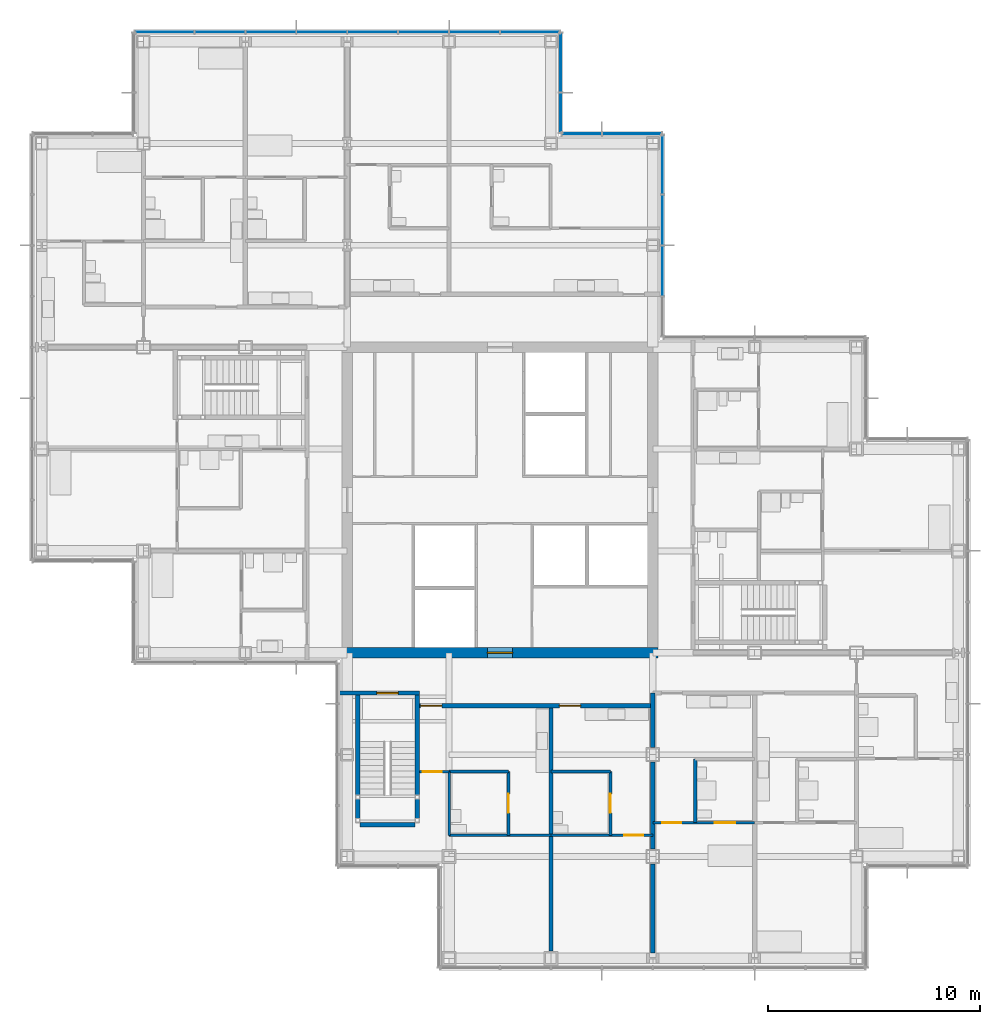
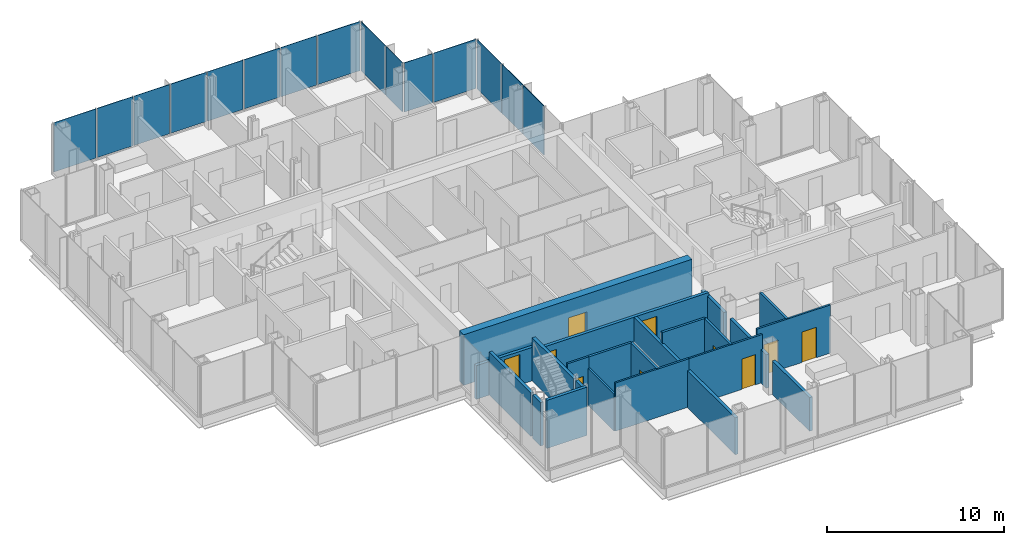
# One storey, part 13 of 20: 22 walls, 15 plates, 10 doors, 10 openings, 4 elements without a shape of their own.
"""IFC4 building model written with IfcOpenShell, lengths in metres."""

from ifc_helpers import new_model, si_unit, direction, frame, frame_2d, origin, origin_2d, place, context, subcontext, project, spatial, rectangle, extrude, material, layer, layer_set, type_object, element, fill, aggregate, save


model = new_model("IFC4")

# Units and contexts
model_context = context("Model", 3, precision=1e-05, world=origin(), true_north=direction((0.0, 1.0)))
body_context = subcontext(model_context, "Body", "Model", "MODEL_VIEW")
ifc_project = project(units=[si_unit("LENGTHUNIT", "METRE"), si_unit("AREAUNIT", "SQUARE_METRE"), si_unit("VOLUMEUNIT", "CUBIC_METRE"), si_unit("PLANEANGLEUNIT", "RADIAN"), si_unit("MASSUNIT", "GRAM", prefix="KILO")], contexts=[model_context])

# Site, building, storey
site_placement = place(None, origin())
site = spatial("IfcSite", under=ifc_project, at=site_placement, CompositionType="ELEMENT")
building_placement = place(site_placement, origin())
building = spatial("IfcBuilding", under=site, at=building_placement, Name="Kvirike Care Tower", CompositionType="ELEMENT")
storey_placement = place(building_placement, frame((0.0, 0.0, 105.0)))
storey = spatial("IfcBuildingStorey", under=building, at=storey_placement, Name="L28", CompositionType="ELEMENT", Elevation=105.0)

# Curtain wall, plates
ifc_material_1 = material(Name="Anodised aluminium stick system", Category="aluminium")
curtain_wall_type = type_object("IfcCurtainWallType", Name="CW-B STICK CURTAIN WALL", PredefinedType="NOTDEFINED", material=ifc_material_1)
curtain_wall_1_placement = place(storey_placement, origin())
curtain_wall_1 = element("IfcCurtainWall", 1, at=curtain_wall_1_placement, inside=storey, type_object=curtain_wall_type, Name="Curtain wall L28 face 5", PredefinedType="NOTDEFINED")
ifc_material_2 = material(Name="Tinted double glazed unit", Category="glass")
ifc_layer_1 = layer(ifc_material_2, 0.035888671875)
ifc_layer_set_1 = layer_set([ifc_layer_1], Name="TINTED VISION PANEL 36")
plate_type = type_object("IfcPlateType", Name="TINTED VISION PANEL 36", PredefinedType="CURTAIN_PANEL", material=ifc_layer_set_1)
plate_1_placement = place(storey_placement, frame((29.260009765625, 46.800048828125, 0.10009765625), z_axis=(0.0, 0.0, 1.0), x_axis=(0.0, 1.0, 0.0)))
plate_1 = element("IfcPlate", 2, at=plate_1_placement, type_object=plate_type, Name="CW-B panel L28 face 5.2", PredefinedType="CURTAIN_PANEL", context=body_context, shape_type="SweptSolid", body=[
    extrude(rectangle(XDim=2.3349609375, YDim=0.035888671875, at=origin_2d()), origin(), (0.0, 0.0, 1.0), 3.39990234375),
])
plate_2_placement = place(storey_placement, frame((29.260009765625, 49.199951171875, 0.10009765625), z_axis=(0.0, 0.0, 1.0), x_axis=(0.0, 1.0, 0.0)))
plate_2 = element("IfcPlate", 3, at=plate_2_placement, type_object=plate_type, Name="CW-B panel L28 face 5.3", PredefinedType="CURTAIN_PANEL", context=body_context, shape_type="SweptSolid", body=[
    extrude(rectangle(XDim=2.3349609375, YDim=0.035888671875, at=origin_2d()), origin(), (0.0, 0.0, 1.0), 3.39990234375),
])
plate_3_placement = place(storey_placement, frame((29.260009765625, 51.813720703125, 0.10009765625), z_axis=(0.0, 0.0, 1.0), x_axis=(0.0, 1.0, 0.0)))
plate_3 = element("IfcPlate", 4, at=plate_3_placement, type_object=plate_type, Name="CW-B panel L28 face 5.4", PredefinedType="CURTAIN_PANEL", context=body_context, shape_type="SweptSolid", body=[
    extrude(rectangle(XDim=2.762451171875, YDim=0.035888671875, at=origin_2d()), origin(), (0.0, 0.0, 1.0), 3.39990234375),
])
aggregate(curtain_wall_1, [plate_1, plate_2, plate_3])

curtain_wall_2_placement = place(storey_placement, origin())
curtain_wall_2 = element("IfcCurtainWall", 5, at=curtain_wall_2_placement, inside=storey, type_object=curtain_wall_type, Name="Curtain wall L28 face 6", PredefinedType="NOTDEFINED")
plate_4_placement = place(storey_placement, frame((27.813720703125, 53.260009765625, 0.10009765625), z_axis=(0.0, 0.0, 1.0), x_axis=(-1.0, 0.0, 0.0)))
plate_4 = element("IfcPlate", 6, at=plate_4_placement, type_object=plate_type, Name="CW-B panel L28 face 6.1", PredefinedType="CURTAIN_PANEL", context=body_context, shape_type="SweptSolid", body=[
    extrude(rectangle(XDim=2.762451171875, YDim=0.035888671875, at=origin_2d()), origin(), (0.0, 0.0, 1.0), 3.39990234375),
])
plate_5_placement = place(storey_placement, frame((25.4462890625, 53.260009765625, 0.10009765625), z_axis=(0.0, 0.0, 1.0), x_axis=(-1.0, 0.0, 0.0)))
plate_5 = element("IfcPlate", 7, at=plate_5_placement, type_object=plate_type, Name="CW-B panel L28 face 6.2", PredefinedType="CURTAIN_PANEL", context=body_context, shape_type="SweptSolid", body=[
    extrude(rectangle(XDim=1.842529296875, YDim=0.035888671875, at=origin_2d()), origin(), (0.0, 0.0, 1.0), 3.39990234375),
])
aggregate(curtain_wall_2, [plate_4, plate_5])

curtain_wall_3_placement = place(storey_placement, origin())
curtain_wall_3 = element("IfcCurtainWall", 8, at=curtain_wall_3_placement, inside=storey, type_object=curtain_wall_type, Name="Curtain wall L28 face 7", PredefinedType="NOTDEFINED")
plate_6_placement = place(storey_placement, frame((24.4599609375, 54.246337890625, 0.10009765625), z_axis=(0.0, 0.0, 1.0), x_axis=(0.0, 1.0, 0.0)))
plate_6 = element("IfcPlate", 9, at=plate_6_placement, type_object=plate_type, Name="CW-B panel L28 face 7.1", PredefinedType="CURTAIN_PANEL", context=body_context, shape_type="SweptSolid", body=[
    extrude(rectangle(XDim=1.842529296875, YDim=0.035888671875, at=origin_2d()), origin(), (0.0, 0.0, 1.0), 3.39990234375),
])
plate_7_placement = place(storey_placement, frame((24.4599609375, 56.61376953125, 0.10009765625), z_axis=(0.0, 0.0, 1.0), x_axis=(0.0, 1.0, 0.0)))
plate_7 = element("IfcPlate", 10, at=plate_7_placement, type_object=plate_type, Name="CW-B panel L28 face 7.2", PredefinedType="CURTAIN_PANEL", context=body_context, shape_type="SweptSolid", body=[
    extrude(rectangle(XDim=2.762451171875, YDim=0.035888671875, at=origin_2d()), origin(), (0.0, 0.0, 1.0), 3.39990234375),
])
aggregate(curtain_wall_3, [plate_6, plate_7])

curtain_wall_4_placement = place(storey_placement, origin())
curtain_wall_4 = element("IfcCurtainWall", 11, at=curtain_wall_4_placement, inside=storey, type_object=curtain_wall_type, Name="Curtain wall L28 face 8", PredefinedType="NOTDEFINED")
plate_8_placement = place(storey_placement, frame((23.013671875, 58.06005859375, 0.10009765625), z_axis=(0.0, 0.0, 1.0), x_axis=(-1.0, 0.0, 0.0)))
plate_8 = element("IfcPlate", 12, at=plate_8_placement, type_object=plate_type, Name="CW-B panel L28 face 8.1", PredefinedType="CURTAIN_PANEL", context=body_context, shape_type="SweptSolid", body=[
    extrude(rectangle(XDim=2.762451171875, YDim=0.035888671875, at=origin_2d()), origin(), (0.0, 0.0, 1.0), 3.39990234375),
])
plate_9_placement = place(storey_placement, frame((20.39990234375, 58.06005859375, 0.10009765625), z_axis=(0.0, 0.0, 1.0), x_axis=(-1.0, 0.0, 0.0)))
plate_9 = element("IfcPlate", 13, at=plate_9_placement, type_object=plate_type, Name="CW-B panel L28 face 8.2", PredefinedType="CURTAIN_PANEL", context=body_context, shape_type="SweptSolid", body=[
    extrude(rectangle(XDim=2.3349609375, YDim=0.035888671875, at=origin_2d()), origin(), (0.0, 0.0, 1.0), 3.39990234375),
])
plate_10_placement = place(storey_placement, frame((18.0, 58.06005859375, 0.10009765625), z_axis=(0.0, 0.0, 1.0), x_axis=(-1.0, 0.0, 0.0)))
plate_10 = element("IfcPlate", 14, at=plate_10_placement, type_object=plate_type, Name="CW-B panel L28 face 8.3", PredefinedType="CURTAIN_PANEL", context=body_context, shape_type="SweptSolid", body=[
    extrude(rectangle(XDim=2.3349609375, YDim=0.035888671875, at=origin_2d()), origin(), (0.0, 0.0, 1.0), 3.39990234375),
])
plate_11_placement = place(storey_placement, frame((15.60009765625, 58.06005859375, 0.10009765625), z_axis=(0.0, 0.0, 1.0), x_axis=(-1.0, 0.0, 0.0)))
plate_11 = element("IfcPlate", 15, at=plate_11_placement, type_object=plate_type, Name="CW-B panel L28 face 8.4", PredefinedType="CURTAIN_PANEL", context=body_context, shape_type="SweptSolid", body=[
    extrude(rectangle(XDim=2.3349609375, YDim=0.035888671875, at=origin_2d()), origin(), (0.0, 0.0, 1.0), 3.39990234375),
])
plate_12_placement = place(storey_placement, frame((13.199951171875, 58.06005859375, 0.10009765625), z_axis=(0.0, 0.0, 1.0), x_axis=(-1.0, 0.0, 0.0)))
plate_12 = element("IfcPlate", 16, at=plate_12_placement, type_object=plate_type, Name="CW-B panel L28 face 8.5", PredefinedType="CURTAIN_PANEL", context=body_context, shape_type="SweptSolid", body=[
    extrude(rectangle(XDim=2.3349609375, YDim=0.035888671875, at=origin_2d()), origin(), (0.0, 0.0, 1.0), 3.39990234375),
])
plate_13_placement = place(storey_placement, frame((10.800048828125, 58.06005859375, 0.10009765625), z_axis=(0.0, 0.0, 1.0), x_axis=(-1.0, 0.0, 0.0)))
plate_13 = element("IfcPlate", 17, at=plate_13_placement, type_object=plate_type, Name="CW-B panel L28 face 8.6", PredefinedType="CURTAIN_PANEL", context=body_context, shape_type="SweptSolid", body=[
    extrude(rectangle(XDim=2.3349609375, YDim=0.035888671875, at=origin_2d()), origin(), (0.0, 0.0, 1.0), 3.39990234375),
])
plate_14_placement = place(storey_placement, frame((8.39990234375, 58.06005859375, 0.10009765625), z_axis=(0.0, 0.0, 1.0), x_axis=(-1.0, 0.0, 0.0)))
plate_14 = element("IfcPlate", 18, at=plate_14_placement, type_object=plate_type, Name="CW-B panel L28 face 8.7", PredefinedType="CURTAIN_PANEL", context=body_context, shape_type="SweptSolid", body=[
    extrude(rectangle(XDim=2.3349609375, YDim=0.035888671875, at=origin_2d()), origin(), (0.0, 0.0, 1.0), 3.39990234375),
])
plate_15_placement = place(storey_placement, frame((5.7861328125, 58.06005859375, 0.10009765625), z_axis=(0.0, 0.0, 1.0), x_axis=(-1.0, 0.0, 0.0)))
plate_15 = element("IfcPlate", 19, at=plate_15_placement, type_object=plate_type, Name="CW-B panel L28 face 8.8", PredefinedType="CURTAIN_PANEL", context=body_context, shape_type="SweptSolid", body=[
    extrude(rectangle(XDim=2.762451171875, YDim=0.035888671875, at=origin_2d()), origin(), (0.0, 0.0, 1.0), 3.39990234375),
])
aggregate(curtain_wall_4, [plate_8, plate_9, plate_10, plate_11, plate_12, plate_13, plate_14, plate_15])

# Wall, opening, door
ifc_material_3 = material(Name="Moisture-resistant board partition", Category="gypsum")
ifc_layer_2 = layer(ifc_material_3, 0.14990234375)
ifc_layer_set_2 = layer_set([ifc_layer_2], Name="BATHROOM WALL 150")
wall_type_1 = type_object("IfcWallType", Name="BATHROOM WALL 150", PredefinedType="PARTITIONING", material=ifc_layer_set_2)
wall_1_placement = place(storey_placement, frame((22.0, 20.199951171875, 0.0), z_axis=(0.0, 0.0, 1.0), x_axis=(0.0, 1.0, 0.0)))
wall_1 = element("IfcWall", 20, at=wall_1_placement, inside=storey, type_object=wall_type_1, Name="Bathroom Wall 150 L28", PredefinedType="PARTITIONING", context=body_context, shape_type="SweptSolid", body=[
    extrude(rectangle(XDim=3.0, YDim=0.14990234375, at=frame_2d((1.5, 0.0))), origin(), (0.0, 0.0, 1.0), 3.330078125),
])
opening_1_placement = place(wall_1_placement, frame((1.050048828125, 0.0, 0.0)))
opening_1 = element("IfcOpeningElement", 21, at=opening_1_placement, cuts=wall_1, Name="Opening 28-020", PredefinedType="OPENING", context=body_context, shape_type="SweptSolid", body=[
    extrude(rectangle(XDim=0.89990234375, YDim=2.10009765625, at=frame_2d((0.449951171875, 1.050048828125))), frame((0.0, 0.08544921875, 0.0), z_axis=(0.0, -1.0, 0.0), x_axis=(1.0, 0.0, 0.0)), (0.0, 0.0, 1.0), 0.1708984375),
])
ifc_material_4 = material(Name="Timber door set", Category="wood")
door_type_1 = type_object("IfcDoorType", Name="BATHROOM DOOR 900", OperationType="SINGLE_SWING_RIGHT", PredefinedType="DOOR", material=ifc_material_4)
door_1_placement = place(opening_1_placement, origin())
door_1 = element("IfcDoor", 22, at=door_1_placement, inside=storey, type_object=door_type_1, Name="Accessible WC door", OperationType="SINGLE_SWING_RIGHT", OverallHeight=2.10009765625, OverallWidth=0.89990234375, PredefinedType="DOOR", context=body_context, shape_type="SweptSolid", body=[
    extrude(rectangle(XDim=0.89990234375, YDim=2.10009765625, at=frame_2d((0.449951171875, 1.050048828125))), frame((0.0, 0.02197265625, 0.0), z_axis=(0.0, -1.0, 0.0), x_axis=(1.0, 0.0, 0.0)), (0.0, 0.0, 1.0), 0.0439453125),
])
fill(opening_1, door_1)

# Wall
wall_2_placement = place(storey_placement, frame((19.199951171875, 23.199951171875, 0.0), z_axis=(0.0, 0.0, 1.0), x_axis=(1.0, 0.0, 0.0)))
element("IfcWall", 23, at=wall_2_placement, inside=storey, type_object=wall_type_1, Name="Bathroom Wall 150 L28", PredefinedType="PARTITIONING", context=body_context, shape_type="SweptSolid", body=[
    extrude(rectangle(XDim=2.800048828125, YDim=0.14990234375, at=frame_2d((1.39990234375, 0.0))), origin(), (0.0, 0.0, 1.0), 3.330078125),
])

# Wall, opening, door
wall_3_placement = place(storey_placement, frame((26.800048828125, 20.199951171875, 0.0), z_axis=(0.0, 0.0, 1.0), x_axis=(0.0, 1.0, 0.0)))
wall_3 = element("IfcWall", 24, at=wall_3_placement, inside=storey, type_object=wall_type_1, Name="Bathroom Wall 150 L28", PredefinedType="PARTITIONING", context=body_context, shape_type="SweptSolid", body=[
    extrude(rectangle(XDim=3.0, YDim=0.14990234375, at=frame_2d((1.5, 0.0))), origin(), (0.0, 0.0, 1.0), 3.330078125),
])
opening_2_placement = place(wall_3_placement, frame((1.050048828125, 0.0, 0.0)))
opening_2 = element("IfcOpeningElement", 25, at=opening_2_placement, cuts=wall_3, Name="Opening 28-022", PredefinedType="OPENING", context=body_context, shape_type="SweptSolid", body=[
    extrude(rectangle(XDim=0.89990234375, YDim=2.10009765625, at=frame_2d((0.449951171875, 1.050048828125))), frame((0.0, 0.08544921875, 0.0), z_axis=(0.0, -1.0, 0.0), x_axis=(1.0, 0.0, 0.0)), (0.0, 0.0, 1.0), 0.1708984375),
])
door_2_placement = place(opening_2_placement, origin())
door_2 = element("IfcDoor", 26, at=door_2_placement, inside=storey, type_object=door_type_1, Name="Staff WC door", OperationType="SINGLE_SWING_RIGHT", OverallHeight=2.10009765625, OverallWidth=0.89990234375, PredefinedType="DOOR", context=body_context, shape_type="SweptSolid", body=[
    extrude(rectangle(XDim=0.89990234375, YDim=2.10009765625, at=frame_2d((0.449951171875, 1.050048828125))), frame((0.0, 0.02197265625, 0.0), z_axis=(0.0, -1.0, 0.0), x_axis=(1.0, 0.0, 0.0)), (0.0, 0.0, 1.0), 0.0439453125),
])
fill(opening_2, door_2)

# Walls
wall_4_placement = place(storey_placement, frame((24.0, 23.199951171875, 0.0), z_axis=(0.0, 0.0, 1.0), x_axis=(1.0, 0.0, 0.0)))
element("IfcWall", 27, at=wall_4_placement, inside=storey, type_object=wall_type_1, Name="Bathroom Wall 150 L28", PredefinedType="PARTITIONING", context=body_context, shape_type="SweptSolid", body=[
    extrude(rectangle(XDim=2.800048828125, YDim=0.14990234375, at=frame_2d((1.39990234375, 0.0))), origin(), (0.0, 0.0, 1.0), 3.330078125),
])
wall_5_placement = place(storey_placement, frame((30.800048828125, 20.800048828125, 0.0), z_axis=(0.0, 0.0, 1.0), x_axis=(0.0, 1.0, 0.0)))
element("IfcWall", 28, at=wall_5_placement, inside=storey, type_object=wall_type_1, Name="Bathroom Wall 150 L28", PredefinedType="PARTITIONING", context=body_context, shape_type="SweptSolid", body=[
    extrude(rectangle(XDim=3.0, YDim=0.14990234375, at=frame_2d((1.5, 0.0))), origin(), (0.0, 0.0, 1.0), 3.330078125),
])

# Wall, opening, door
ifc_material_5 = material(Name="Concrete C50/60", Category="concrete")
ifc_layer_3 = layer(ifc_material_5, 0.5)
ifc_layer_set_3 = layer_set([ifc_layer_3], Name="CORE WALL 500 C50-60")
wall_type_2 = type_object("IfcWallType", Name="CORE WALL 500 C50-60", PredefinedType="SHEAR", material=ifc_layer_set_3)
wall_6_placement = place(storey_placement, frame((14.14990234375, 28.800048828125, -0.169921875), z_axis=(0.0, 0.0, 1.0), x_axis=(1.0, 0.0, 0.0)))
wall_6 = element("IfcWall", 29, at=wall_6_placement, inside=storey, type_object=wall_type_2, Name="Core wall S L28", PredefinedType="SHEAR", context=body_context, shape_type="SweptSolid", body=[
    extrude(rectangle(XDim=14.900146484375, YDim=0.5, at=frame_2d((7.4501953125, 0.0))), origin(), (0.0, 0.0, 1.0), 3.5),
])
opening_3_placement = place(wall_6_placement, frame((6.85009765625, 0.0, 0.169921875)))
opening_3 = element("IfcOpeningElement", 30, at=opening_3_placement, cuts=wall_6, Name="Opening 28-062", PredefinedType="OPENING", context=body_context, shape_type="SweptSolid", body=[
    extrude(rectangle(XDim=1.199951171875, YDim=2.10009765625, at=frame_2d((0.60009765625, 1.050048828125))), frame((0.0, 0.260498046875, 0.0), z_axis=(0.0, -1.0, 0.0), x_axis=(1.0, 0.0, 0.0)), (0.0, 0.0, 1.0), 0.52099609375),
])
ifc_material_6 = material(Name="Timber door set", Category="wood")
door_type_2 = type_object("IfcDoorType", Name="CORE DOOR 1200", OperationType="SINGLE_SWING_LEFT", PredefinedType="DOOR", material=ifc_material_6)
door_3_placement = place(opening_3_placement, origin())
door_3 = element("IfcDoor", 31, at=door_3_placement, inside=storey, type_object=door_type_2, Name="Core door S L28", OperationType="SINGLE_SWING_LEFT", OverallHeight=2.10009765625, OverallWidth=1.199951171875, PredefinedType="DOOR", context=body_context, shape_type="SweptSolid", body=[
    extrude(rectangle(XDim=1.199951171875, YDim=2.10009765625, at=frame_2d((0.60009765625, 1.050048828125))), frame((0.0, 0.02685546875, 0.0), z_axis=(0.0, -1.0, 0.0), x_axis=(1.0, 0.0, 0.0)), (0.0, 0.0, 1.0), 0.053955078125),
])
fill(opening_3, door_3)

# Wall, openings, doors
ifc_material_7 = material(Name="Plasterboard corridor wall", Category="gypsum")
ifc_layer_4 = layer(ifc_material_7, 0.199951171875)
ifc_layer_set_4 = layer_set([ifc_layer_4], Name="CORRIDOR WALL 200")
wall_type_3 = type_object("IfcWallType", Name="CORRIDOR WALL 200", PredefinedType="PARTITIONING", material=ifc_layer_set_4)
wall_7_placement = place(storey_placement, frame((17.800048828125, 26.300048828125, 0.0), z_axis=(0.0, 0.0, 1.0), x_axis=(1.0, 0.0, 0.0)))
wall_7 = element("IfcWall", 32, at=wall_7_placement, inside=storey, type_object=wall_type_3, Name="Corridor Wall 200 L28", PredefinedType="PARTITIONING", context=body_context, shape_type="SweptSolid", body=[
    extrude(rectangle(XDim=11.0, YDim=0.199951171875, at=frame_2d((5.5, 0.0))), origin(), (0.0, 0.0, 1.0), 2.550048828125),
])
opening_4_placement = place(wall_7_placement, frame((0.06005859375, 0.0, 0.0)))
opening_4 = element("IfcOpeningElement", 33, at=opening_4_placement, cuts=wall_7, Name="Opening 28-024", PredefinedType="OPENING", context=body_context, shape_type="SweptSolid", body=[
    extrude(rectangle(XDim=1.0, YDim=2.10009765625, at=frame_2d((0.5, 1.050048828125))), frame((0.0, 0.110595703125, 0.0), z_axis=(0.0, -1.0, 0.0), x_axis=(1.0, 0.0, 0.0)), (0.0, 0.0, 1.0), 0.220947265625),
])
opening_5_placement = place(wall_7_placement, frame((6.60009765625, 0.0, 0.0)))
opening_5 = element("IfcOpeningElement", 34, at=opening_5_placement, cuts=wall_7, Name="Opening 28-025", PredefinedType="OPENING", context=body_context, shape_type="SweptSolid", body=[
    extrude(rectangle(XDim=1.0, YDim=2.10009765625, at=frame_2d((0.5, 1.050048828125))), frame((0.0, 0.110595703125, 0.0), z_axis=(0.0, -1.0, 0.0), x_axis=(1.0, 0.0, 0.0)), (0.0, 0.0, 1.0), 0.220947265625),
])
ifc_material_8 = material(Name="Timber door set", Category="wood")
door_type_3 = type_object("IfcDoorType", Name="FLAT ENTRANCE DOOR 1000", OperationType="SINGLE_SWING_LEFT", PredefinedType="DOOR", material=ifc_material_8)
door_4_placement = place(opening_4_placement, frame((1.0, 0.0, 0.0), z_axis=(0.0, 0.0, 1.0), x_axis=(-1.0, 0.0, 0.0)))
door_4 = element("IfcDoor", 35, at=door_4_placement, inside=storey, type_object=door_type_3, Name="Household lounge entrance", OperationType="SINGLE_SWING_LEFT", OverallHeight=2.10009765625, OverallWidth=1.0, PredefinedType="DOOR", context=body_context, shape_type="SweptSolid", body=[
    extrude(rectangle(XDim=1.0, YDim=2.10009765625, at=frame_2d((0.5, 1.050048828125))), frame((0.0, 0.02685546875, 0.0), z_axis=(0.0, -1.0, 0.0), x_axis=(1.0, 0.0, 0.0)), (0.0, 0.0, 1.0), 0.053955078125),
])
fill(opening_4, door_4)
door_5_placement = place(opening_5_placement, frame((1.0, 0.0, 0.0), z_axis=(0.0, 0.0, 1.0), x_axis=(-1.0, 0.0, 0.0)))
door_5 = element("IfcDoor", 36, at=door_5_placement, inside=storey, type_object=door_type_3, Name="Household dining entrance", OperationType="SINGLE_SWING_LEFT", OverallHeight=2.10009765625, OverallWidth=1.0, PredefinedType="DOOR", context=body_context, shape_type="SweptSolid", body=[
    extrude(rectangle(XDim=1.0, YDim=2.10009765625, at=frame_2d((0.5, 1.050048828125))), frame((0.0, 0.02685546875, 0.0), z_axis=(0.0, -1.0, 0.0), x_axis=(1.0, 0.0, 0.0)), (0.0, 0.0, 1.0), 0.053955078125),
])
fill(opening_5, door_5)

# Wall, opening, door
ifc_material_9 = material(Name="Plasterboard partition", Category="gypsum")
ifc_layer_5 = layer(ifc_material_9, 0.1201171875)
ifc_layer_set_5 = layer_set([ifc_layer_5], Name="PARTITION 120")
wall_type_4 = type_object("IfcWallType", Name="PARTITION 120", PredefinedType="PARTITIONING", material=ifc_layer_set_5)
wall_8_placement = place(storey_placement, frame((17.800048828125, 23.199951171875, 0.0), z_axis=(0.0, 0.0, 1.0), x_axis=(1.0, 0.0, 0.0)))
wall_8 = element("IfcWall", 37, at=wall_8_placement, inside=storey, type_object=wall_type_4, Name="Partition 120 L28", PredefinedType="PARTITIONING", context=body_context, shape_type="SweptSolid", body=[
    extrude(rectangle(XDim=1.39990234375, YDim=0.1201171875, at=frame_2d((0.699951171875, 0.0))), origin(), (0.0, 0.0, 1.0), 3.330078125),
])
opening_6_placement = place(wall_8_placement, frame((0.14990234375, 0.0, 0.0)))
opening_6 = element("IfcOpeningElement", 38, at=opening_6_placement, cuts=wall_8, Name="Opening 28-021", PredefinedType="OPENING", context=body_context, shape_type="SweptSolid", body=[
    extrude(rectangle(XDim=0.89990234375, YDim=2.10009765625, at=frame_2d((0.449951171875, 1.050048828125))), frame((0.0, 0.070556640625, 0.0), z_axis=(0.0, -1.0, 0.0), x_axis=(1.0, 0.0, 0.0)), (0.0, 0.0, 1.0), 0.14111328125),
])
ifc_material_10 = material(Name="Timber door set", Category="wood")
door_type_4 = type_object("IfcDoorType", Name="INTERNAL DOOR 900", OperationType="SINGLE_SWING_LEFT", PredefinedType="DOOR", material=ifc_material_10)
door_6_placement = place(opening_6_placement, origin())
door_6 = element("IfcDoor", 39, at=door_6_placement, inside=storey, type_object=door_type_4, Name="Household lounge door", OperationType="SINGLE_SWING_RIGHT", OverallHeight=2.10009765625, OverallWidth=0.89990234375, PredefinedType="DOOR", context=body_context, shape_type="SweptSolid", body=[
    extrude(rectangle(XDim=0.89990234375, YDim=2.10009765625, at=frame_2d((0.449951171875, 1.050048828125))), frame((0.0, 0.02197265625, 0.0), z_axis=(0.0, -1.0, 0.0), x_axis=(1.0, 0.0, 0.0)), (0.0, 0.0, 1.0), 0.0439453125),
])
fill(opening_6, door_6)

# Walls
wall_9_placement = place(storey_placement, frame((19.199951171875, 20.199951171875, 0.0), z_axis=(0.0, 0.0, 1.0), x_axis=(1.0, 0.0, 0.0)))
element("IfcWall", 40, at=wall_9_placement, inside=storey, type_object=wall_type_4, Name="Partition 120 L28", PredefinedType="PARTITIONING", context=body_context, shape_type="SweptSolid", body=[
    extrude(rectangle(XDim=4.800048828125, YDim=0.1201171875, at=frame_2d((2.39990234375, 0.0))), origin(), (0.0, 0.0, 1.0), 3.330078125),
])
wall_10_placement = place(storey_placement, frame((19.199951171875, 20.199951171875, 0.0), z_axis=(0.0, 0.0, 1.0), x_axis=(0.0, 1.0, 0.0)))
element("IfcWall", 41, at=wall_10_placement, inside=storey, type_object=wall_type_4, Name="Partition 120 L28", PredefinedType="PARTITIONING", context=body_context, shape_type="SweptSolid", body=[
    extrude(rectangle(XDim=3.0, YDim=0.1201171875, at=frame_2d((1.5, 0.0))), origin(), (0.0, 0.0, 1.0), 2.550048828125),
])

# Wall, opening, door
wall_11_placement = place(storey_placement, frame((24.0, 20.199951171875, 0.0), z_axis=(0.0, 0.0, 1.0), x_axis=(1.0, 0.0, 0.0)))
wall_11 = element("IfcWall", 42, at=wall_11_placement, inside=storey, type_object=wall_type_4, Name="Partition 120 L28", PredefinedType="PARTITIONING", context=body_context, shape_type="SweptSolid", body=[
    extrude(rectangle(XDim=4.800048828125, YDim=0.1201171875, at=frame_2d((2.39990234375, 0.0))), origin(), (0.0, 0.0, 1.0), 3.330078125),
])
opening_7_placement = place(wall_11_placement, frame((3.449951171875, 0.0, 0.0)))
opening_7 = element("IfcOpeningElement", 43, at=opening_7_placement, cuts=wall_11, Name="Opening 28-023", PredefinedType="OPENING", context=body_context, shape_type="SweptSolid", body=[
    extrude(rectangle(XDim=0.89990234375, YDim=2.10009765625, at=frame_2d((0.449951171875, 1.050048828125))), frame((0.0, 0.070556640625, 0.0), z_axis=(0.0, -1.0, 0.0), x_axis=(1.0, 0.0, 0.0)), (0.0, 0.0, 1.0), 0.14111328125),
])
door_7_placement = place(opening_7_placement, origin())
door_7 = element("IfcDoor", 44, at=door_7_placement, inside=storey, type_object=door_type_4, Name="Household dining room door", OperationType="SINGLE_SWING_RIGHT", OverallHeight=2.10009765625, OverallWidth=0.89990234375, PredefinedType="DOOR", context=body_context, shape_type="SweptSolid", body=[
    extrude(rectangle(XDim=0.89990234375, YDim=2.10009765625, at=frame_2d((0.449951171875, 1.050048828125))), frame((0.0, 0.02197265625, 0.0), z_axis=(0.0, -1.0, 0.0), x_axis=(1.0, 0.0, 0.0)), (0.0, 0.0, 1.0), 0.0439453125),
])
fill(opening_7, door_7)

# Wall, openings, doors
wall_12_placement = place(storey_placement, frame((28.800048828125, 20.800048828125, 0.0), z_axis=(0.0, 0.0, 1.0), x_axis=(1.0, 0.0, 0.0)))
wall_12 = element("IfcWall", 45, at=wall_12_placement, inside=storey, type_object=wall_type_4, Name="Partition 120 L28", PredefinedType="PARTITIONING", context=body_context, shape_type="SweptSolid", body=[
    extrude(rectangle(XDim=4.800048828125, YDim=0.1201171875, at=frame_2d((2.39990234375, 0.0))), origin(), (0.0, 0.0, 1.0), 3.330078125),
])
opening_8_placement = place(wall_12_placement, frame((0.449951171875, 0.0, 0.0)))
opening_8 = element("IfcOpeningElement", 46, at=opening_8_placement, cuts=wall_12, Name="Opening 28-032", PredefinedType="OPENING", context=body_context, shape_type="SweptSolid", body=[
    extrude(rectangle(XDim=0.89990234375, YDim=2.10009765625, at=frame_2d((0.449951171875, 1.050048828125))), frame((0.0, 0.070556640625, 0.0), z_axis=(0.0, -1.0, 0.0), x_axis=(1.0, 0.0, 0.0)), (0.0, 0.0, 1.0), 0.14111328125),
])
opening_9_placement = place(wall_12_placement, frame((2.925048828125, 0.0, 0.0)))
opening_9 = element("IfcOpeningElement", 47, at=opening_9_placement, cuts=wall_12, Name="Opening 28-033", PredefinedType="OPENING", context=body_context, shape_type="SweptSolid", body=[
    extrude(rectangle(XDim=0.949951171875, YDim=2.10009765625, at=frame_2d((0.47509765625, 1.050048828125))), frame((0.0, 0.070556640625, 0.0), z_axis=(0.0, -1.0, 0.0), x_axis=(1.0, 0.0, 0.0)), (0.0, 0.0, 1.0), 0.14111328125),
])
ifc_material_11 = material(Name="Timber door set", Category="wood")
door_type_5 = type_object("IfcDoorType", Name="EN-SUITE SLIDING DOOR 950", OperationType="SLIDING_TO_LEFT", PredefinedType="DOOR", material=ifc_material_11)
door_8_placement = place(opening_9_placement, origin())
door_8 = element("IfcDoor", 48, at=door_8_placement, inside=storey, type_object=door_type_5, Name="En-suite door", OperationType="SLIDING_TO_LEFT", OverallHeight=2.10009765625, OverallWidth=0.949951171875, PredefinedType="DOOR", context=body_context, shape_type="SweptSolid", body=[
    extrude(rectangle(XDim=0.949951171875, YDim=2.10009765625, at=frame_2d((0.47509765625, 1.050048828125))), frame((0.0, 0.02197265625, 0.0), z_axis=(0.0, -1.0, 0.0), x_axis=(1.0, 0.0, 0.0)), (0.0, 0.0, 1.0), 0.0439453125),
])
fill(opening_9, door_8)
door_9_placement = place(opening_8_placement, origin())
door_9 = element("IfcDoor", 49, at=door_9_placement, inside=storey, type_object=door_type_4, Name="Assisted living suite door", OperationType="SINGLE_SWING_LEFT", OverallHeight=2.10009765625, OverallWidth=0.89990234375, PredefinedType="DOOR", context=body_context, shape_type="SweptSolid", body=[
    extrude(rectangle(XDim=0.89990234375, YDim=2.10009765625, at=frame_2d((0.449951171875, 1.050048828125))), frame((0.0, 0.02197265625, 0.0), z_axis=(0.0, -1.0, 0.0), x_axis=(1.0, 0.0, 0.0)), (0.0, 0.0, 1.0), 0.0439453125),
])
fill(opening_8, door_9)

# Walls
ifc_material_12 = material(Name="Plasterboard party wall", Category="gypsum")
ifc_layer_6 = layer(ifc_material_12, 0.199951171875)
ifc_layer_set_6 = layer_set([ifc_layer_6], Name="PARTY WALL 200")
wall_type_5 = type_object("IfcWallType", Name="PARTY WALL 200", PredefinedType="PARTITIONING", material=ifc_layer_set_6)
wall_13_placement = place(storey_placement, frame((24.0, 14.7451171875, 0.0), z_axis=(0.0, 0.0, 1.0), x_axis=(0.0, 1.0, 0.0)))
element("IfcWall", 50, at=wall_13_placement, inside=storey, type_object=wall_type_5, Name="Party Wall 200 L28", PredefinedType="PARTITIONING", context=body_context, shape_type="SweptSolid", body=[
    extrude(rectangle(XDim=11.454833984375, YDim=0.199951171875, at=frame_2d((5.7275390625, 0.0))), origin(), (0.0, 0.0, 1.0), 2.550048828125),
])
wall_14_placement = place(storey_placement, frame((28.800048828125, 14.64697265625, 0.0), z_axis=(0.0, 0.0, 1.0), x_axis=(0.0, 1.0, 0.0)))
element("IfcWall", 51, at=wall_14_placement, inside=storey, type_object=wall_type_5, Name="Party Wall 200 L28", PredefinedType="PARTITIONING", context=body_context, shape_type="SweptSolid", body=[
    extrude(rectangle(XDim=4.2080078125, YDim=0.199951171875, at=frame_2d((2.10400390625, 0.0))), origin(), (0.0, 0.0, 1.0), 2.320068359375),
])
wall_15_placement = place(storey_placement, frame((28.800048828125, 19.544921875, 0.0), z_axis=(0.0, 0.0, 1.0), x_axis=(0.0, 1.0, 0.0)))
element("IfcWall", 52, at=wall_15_placement, inside=storey, type_object=wall_type_5, Name="Party Wall 200 L28", PredefinedType="PARTITIONING", context=body_context, shape_type="SweptSolid", body=[
    extrude(rectangle(XDim=4.110107421875, YDim=0.199951171875, at=frame_2d((2.05517578125, 0.0))), origin(), (0.0, 0.0, 1.0), 2.320068359375),
])
wall_16_placement = place(storey_placement, frame((28.800048828125, 24.344970703125, 0.0), z_axis=(0.0, 0.0, 1.0), x_axis=(0.0, 1.0, 0.0)))
element("IfcWall", 53, at=wall_16_placement, inside=storey, type_object=wall_type_5, Name="Party Wall 200 L28", PredefinedType="PARTITIONING", context=body_context, shape_type="SweptSolid", body=[
    extrude(rectangle(XDim=2.554931640625, YDim=0.199951171875, at=frame_2d((1.27734375, 0.0))), origin(), (0.0, 0.0, 1.0), 2.320068359375),
])
ifc_material_13 = material(Name="Concrete C40/50", Category="concrete")
ifc_layer_7 = layer(ifc_material_13, 0.199951171875)
ifc_layer_set_7 = layer_set([ifc_layer_7], Name="STAIR WALL 200")
wall_type_6 = type_object("IfcWallType", Name="STAIR WALL 200", PredefinedType="SOLIDWALL", material=ifc_layer_set_7)
wall_17_placement = place(storey_placement, frame((14.89990234375, 21.0, 0.0), z_axis=(0.0, 0.0, 1.0), x_axis=(0.0, 1.0, 0.0)))
element("IfcWall", 54, at=wall_17_placement, inside=storey, type_object=wall_type_6, Name="Stair Wall 200 L28", PredefinedType="SOLIDWALL", context=body_context, shape_type="SweptSolid", body=[
    extrude(rectangle(XDim=0.89990234375, YDim=0.199951171875, at=frame_2d((0.449951171875, 0.0))), origin(), (0.0, 0.0, 1.0), 2.989990234375),
])
wall_18_placement = place(storey_placement, frame((14.89990234375, 22.10009765625, 0.0), z_axis=(0.0, 0.0, 1.0), x_axis=(0.0, 1.0, 0.0)))
element("IfcWall", 55, at=wall_18_placement, inside=storey, type_object=wall_type_6, Name="Stair Wall 200 L28", PredefinedType="SOLIDWALL", context=body_context, shape_type="SweptSolid", body=[
    extrude(rectangle(XDim=4.699951171875, YDim=0.199951171875, at=frame_2d((2.35009765625, 0.0))), origin(), (0.0, 0.0, 1.0), 2.989990234375),
])
wall_19_placement = place(storey_placement, frame((17.699951171875, 21.0, 0.0), z_axis=(0.0, 0.0, 1.0), x_axis=(0.0, 1.0, 0.0)))
element("IfcWall", 56, at=wall_19_placement, inside=storey, type_object=wall_type_6, Name="Stair Wall 200 L28", PredefinedType="SOLIDWALL", context=body_context, shape_type="SweptSolid", body=[
    extrude(rectangle(XDim=0.89990234375, YDim=0.199951171875, at=frame_2d((0.449951171875, 0.0))), origin(), (0.0, 0.0, 1.0), 2.989990234375),
])
wall_20_placement = place(storey_placement, frame((17.699951171875, 22.10009765625, 0.0), z_axis=(0.0, 0.0, 1.0), x_axis=(0.0, 1.0, 0.0)))
element("IfcWall", 57, at=wall_20_placement, inside=storey, type_object=wall_type_6, Name="Stair Wall 200 L28", PredefinedType="SOLIDWALL", context=body_context, shape_type="SweptSolid", body=[
    extrude(rectangle(XDim=4.699951171875, YDim=0.199951171875, at=frame_2d((2.35009765625, 0.0))), origin(), (0.0, 0.0, 1.0), 2.989990234375),
])
wall_21_placement = place(storey_placement, frame((15.0, 20.699951171875, 0.0), z_axis=(0.0, 0.0, 1.0), x_axis=(1.0, 0.0, 0.0)))
element("IfcWall", 58, at=wall_21_placement, inside=storey, type_object=wall_type_6, Name="Stair Wall 200 L28", PredefinedType="SOLIDWALL", context=body_context, shape_type="SweptSolid", body=[
    extrude(rectangle(XDim=2.60009765625, YDim=0.199951171875, at=frame_2d((1.300048828125, 0.0))), origin(), (0.0, 0.0, 1.0), 3.330078125),
])

# Wall, opening, door
wall_22_placement = place(storey_placement, frame((13.9599609375, 26.89990234375, 0.0), z_axis=(0.0, 0.0, 1.0), x_axis=(1.0, 0.0, 0.0)))
wall_22 = element("IfcWall", 59, at=wall_22_placement, inside=storey, type_object=wall_type_6, Name="Stair Wall 200 L28", PredefinedType="SOLIDWALL", context=body_context, shape_type="SweptSolid", body=[
    extrude(rectangle(XDim=3.840087890625, YDim=0.199951171875, at=frame_2d((1.919921875, 0.0))), origin(), (0.0, 0.0, 1.0), 2.320068359375),
])
opening_10_placement = place(wall_22_placement, frame((1.840087890625, 0.0, 0.0)))
opening_10 = element("IfcOpeningElement", 60, at=opening_10_placement, cuts=wall_22, Name="Opening 28-019", PredefinedType="OPENING", context=body_context, shape_type="SweptSolid", body=[
    extrude(rectangle(XDim=1.0, YDim=2.10009765625, at=frame_2d((0.5, 1.050048828125))), frame((0.0, 0.110595703125, 0.0), z_axis=(0.0, -1.0, 0.0), x_axis=(1.0, 0.0, 0.0)), (0.0, 0.0, 1.0), 0.220947265625),
])
ifc_material_14 = material(Name="Timber door set", Category="wood")
door_type_6 = type_object("IfcDoorType", Name="STAIR DOOR 1000", OperationType="SINGLE_SWING_LEFT", PredefinedType="DOOR", material=ifc_material_14)
door_10_placement = place(opening_10_placement, frame((1.0, 0.0, 0.0), z_axis=(0.0, 0.0, 1.0), x_axis=(-1.0, 0.0, 0.0)))
door_10 = element("IfcDoor", 61, at=door_10_placement, inside=storey, type_object=door_type_6, Name="Stair 5 door", OperationType="SINGLE_SWING_RIGHT", OverallHeight=2.10009765625, OverallWidth=1.0, PredefinedType="DOOR", context=body_context, shape_type="SweptSolid", body=[
    extrude(rectangle(XDim=1.0, YDim=2.10009765625, at=frame_2d((0.5, 1.050048828125))), frame((0.0, 0.031982421875, 0.0), z_axis=(0.0, -1.0, 0.0), x_axis=(1.0, 0.0, 0.0)), (0.0, 0.0, 1.0), 0.06396484375),
])
fill(opening_10, door_10)

save(model, "model.ifc")
